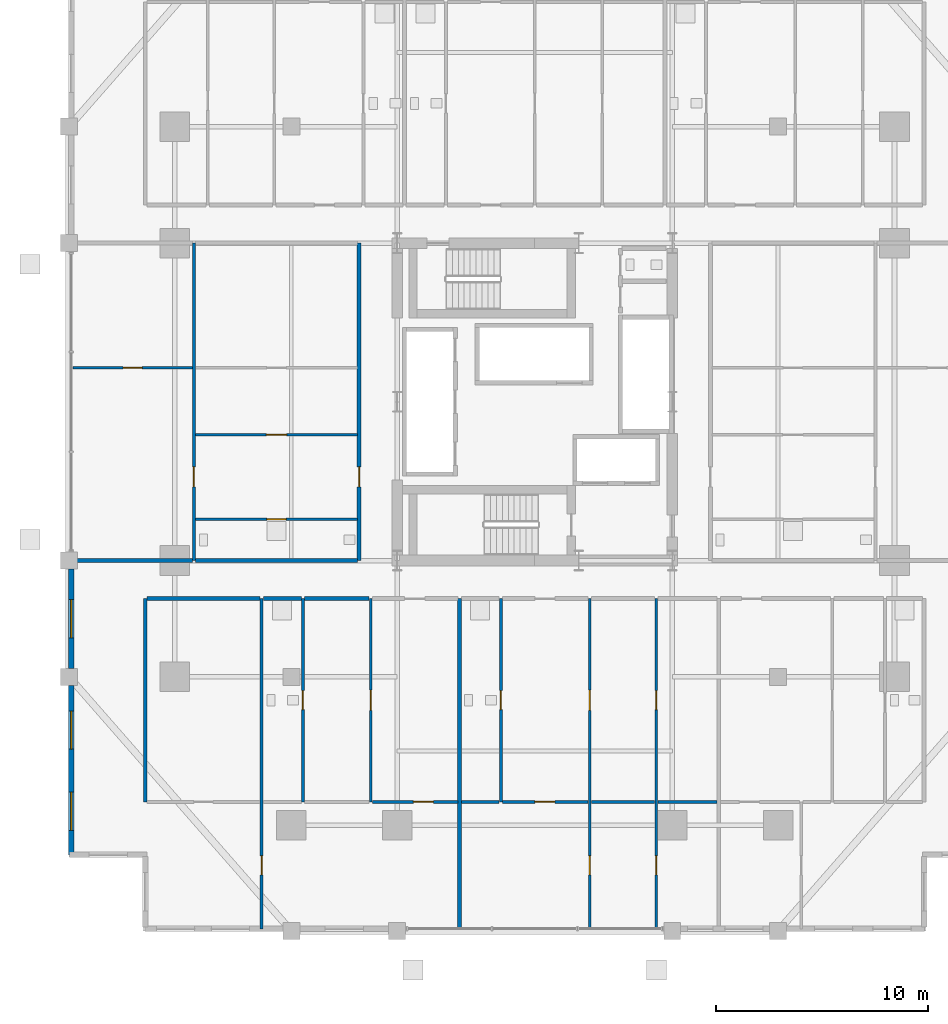
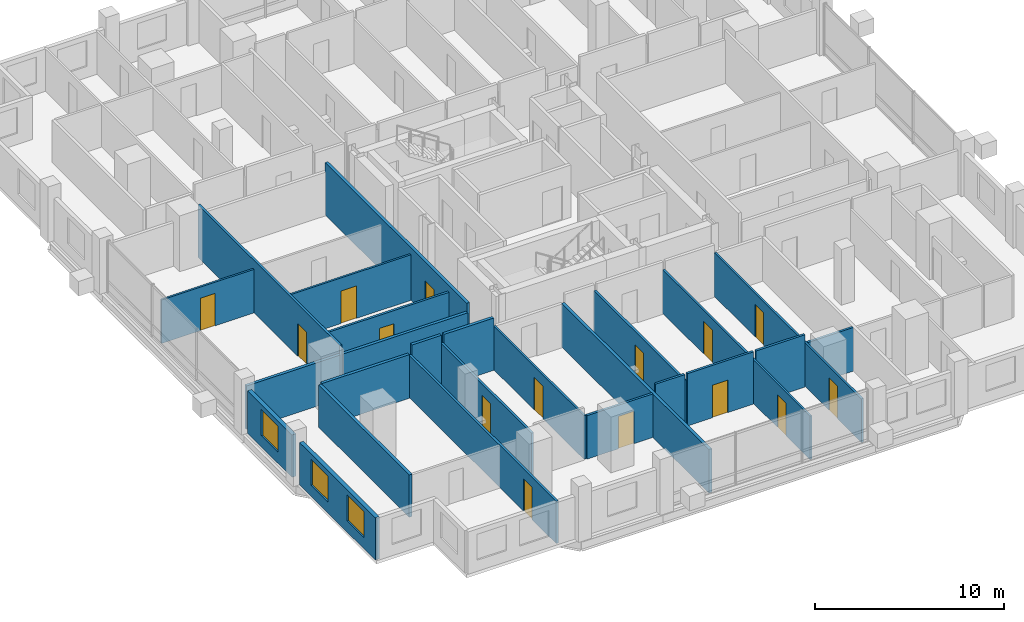
# One storey, part 17 of 24: 25 walls, 15 doors, 3 windows, 18 openings.
"""IFC4 building model written with IfcOpenShell, lengths in metres."""

from ifc_helpers import new_model, si_unit, direction, frame, frame_2d, origin, place, context, subcontext, project, spatial, rectangle, extrude, material, layer, layer_set, type_object, element, fill, save


model = new_model("IFC4")

# Units and contexts
model_context = context("Model", 3, precision=1e-05, world=origin(), true_north=direction((0.0, 1.0)))
body_context = subcontext(model_context, "Body", "Model", "MODEL_VIEW")
ifc_project = project(units=[si_unit("LENGTHUNIT", "METRE"), si_unit("AREAUNIT", "SQUARE_METRE"), si_unit("VOLUMEUNIT", "CUBIC_METRE"), si_unit("PLANEANGLEUNIT", "RADIAN"), si_unit("MASSUNIT", "GRAM", prefix="KILO")], contexts=[model_context])

# Site, building, storey
site_placement = place(None, origin())
site = spatial("IfcSite", under=ifc_project, at=site_placement, CompositionType="ELEMENT")
building_placement = place(site_placement, origin())
building = spatial("IfcBuilding", under=site, at=building_placement, Name="Barlavira Tower and Art Museum", CompositionType="ELEMENT")
storey_placement = place(building_placement, frame((0.0, 0.0, 43.199951171875)))
storey = spatial("IfcBuildingStorey", under=building, at=storey_placement, Name="L09", CompositionType="ELEMENT", Elevation=43.199951171875)

# Wall, opening, door
ifc_material_1 = material(Name="Gypsum acoustic stud partition", Category="gypsum")
ifc_layer_1 = layer(ifc_material_1, 0.1201171875, Name="Gypsum acoustic stud partition")
ifc_layer_set_1 = layer_set([ifc_layer_1], Name="Gypsum acoustic stud partition")
wall_type_1 = type_object("IfcWallType", Name="Apartment Internal Acoustic Partition 120", PredefinedType="PARTITIONING", material=ifc_layer_set_1)
wall_1_placement = place(storey_placement, frame((-7.75, -18.89990234375, 0.0), z_axis=(0.0, 0.0, 1.0), x_axis=(0.0, 1.0, 0.0)))
wall_1 = element("IfcWall", 1, at=wall_1_placement, inside=storey, type_object=wall_type_1, Name="L09 Partition Wall 10", PredefinedType="PARTITIONING", context=body_context, shape_type="SweptSolid", body=[
    extrude(rectangle(XDim=9.599853515625, YDim=0.1201171875, at=frame_2d((4.7998046875, 0.0))), origin(), (0.0, 0.0, 1.0), 2.816162109375),
])
opening_1_placement = place(wall_1_placement, frame((4.324951171875, 0.0, 0.0)))
opening_1 = element("IfcOpeningElement", 2, at=opening_1_placement, cuts=wall_1, Name="Opening D-02", PredefinedType="OPENING", context=body_context, shape_type="SweptSolid", body=[
    extrude(rectangle(XDim=0.949951171875, YDim=2.10009765625, at=frame_2d((0.47509765625, 1.050048828125))), frame((0.0, 0.070068359375, 0.0), z_axis=(0.0, -1.0, 0.0), x_axis=(1.0, 0.0, 0.0)), (0.0, 0.0, 1.0), 0.14013671875),
])
ifc_material_2 = material(Name="Engineered coastal hardwood", Category="wood")
door_type_1 = type_object("IfcDoorType", Name="Living and Salon Glazed-Leaf Door 950x2100", OperationType="NOTDEFINED", PredefinedType="DOOR", material=ifc_material_2)
door_1_placement = place(opening_1_placement, origin())
door_1 = element("IfcDoor", 3, at=door_1_placement, inside=storey, type_object=door_type_1, Name="Apartment S1 Kitchen Door", OperationType="SINGLE_SWING_RIGHT", OverallHeight=2.10009765625, OverallWidth=0.949951171875, PredefinedType="DOOR", context=body_context, shape_type="SweptSolid", body=[
    extrude(rectangle(XDim=0.949951171875, YDim=2.10009765625, at=frame_2d((0.47509765625, 1.050048828125))), frame((0.0, 0.02490234375, 0.0), z_axis=(0.0, -1.0, 0.0), x_axis=(1.0, 0.0, 0.0)), (0.0, 0.0, 1.0), 0.050048828125),
])
fill(opening_1, door_1)

# Wall, openings, doors
wall_2_placement = place(storey_placement, frame((2.60009765625, -24.89990234375, 0.0), z_axis=(0.0, 0.0, 1.0), x_axis=(0.0, 1.0, 0.0)))
wall_2 = element("IfcWall", 4, at=wall_2_placement, inside=storey, type_object=wall_type_1, Name="L09 Partition Wall 16", PredefinedType="PARTITIONING", context=body_context, shape_type="SweptSolid", body=[
    extrude(rectangle(XDim=15.599853515625, YDim=0.1201171875, at=frame_2d((7.7998046875, 0.0))), origin(), (0.0, 0.0, 1.0), 2.816162109375),
])
opening_2_placement = place(wall_2_placement, frame((10.324951171875, 0.0, 0.0)))
opening_2 = element("IfcOpeningElement", 5, at=opening_2_placement, cuts=wall_2, Name="Opening D-02", PredefinedType="OPENING", context=body_context, shape_type="SweptSolid", body=[
    extrude(rectangle(XDim=0.949951171875, YDim=2.10009765625, at=frame_2d((0.47509765625, 1.050048828125))), frame((0.0, 0.070068359375, 0.0), z_axis=(0.0, -1.0, 0.0), x_axis=(1.0, 0.0, 0.0)), (0.0, 0.0, 1.0), 0.14013671875),
])
opening_3_placement = place(wall_2_placement, frame((2.550048828125, 0.0, 0.0)))
opening_3 = element("IfcOpeningElement", 6, at=opening_3_placement, cuts=wall_2, Name="Opening D-01", PredefinedType="OPENING", context=body_context, shape_type="SweptSolid", body=[
    extrude(rectangle(XDim=0.89990234375, YDim=2.10009765625, at=frame_2d((0.449951171875, 1.050048828125))), frame((0.0, 0.070068359375, 0.0), z_axis=(0.0, -1.0, 0.0), x_axis=(1.0, 0.0, 0.0)), (0.0, 0.0, 1.0), 0.14013671875),
])
door_type_2 = type_object("IfcDoorType", Name="Internal Bedroom Timber Flush Door 900x2100", OperationType="NOTDEFINED", PredefinedType="DOOR", material=ifc_material_2)
door_2_placement = place(opening_3_placement, origin())
door_2 = element("IfcDoor", 7, at=door_2_placement, inside=storey, type_object=door_type_2, Name="Apartment S2 Bedroom 1 Door", OperationType="SINGLE_SWING_RIGHT", OverallHeight=2.10009765625, OverallWidth=0.89990234375, PredefinedType="DOOR", context=body_context, shape_type="SweptSolid", body=[
    extrude(rectangle(XDim=0.89990234375, YDim=2.10009765625, at=frame_2d((0.449951171875, 1.050048828125))), frame((0.0, 0.02490234375, 0.0), z_axis=(0.0, -1.0, 0.0), x_axis=(1.0, 0.0, 0.0)), (0.0, 0.0, 1.0), 0.050048828125),
])
fill(opening_3, door_2)
door_3_placement = place(opening_2_placement, origin())
door_3 = element("IfcDoor", 8, at=door_3_placement, inside=storey, type_object=door_type_1, Name="Apartment S2 Kitchen Door", OperationType="SINGLE_SWING_LEFT", OverallHeight=2.10009765625, OverallWidth=0.949951171875, PredefinedType="DOOR", context=body_context, shape_type="SweptSolid", body=[
    extrude(rectangle(XDim=0.949951171875, YDim=2.10009765625, at=frame_2d((0.47509765625, 1.050048828125))), frame((0.0, 0.02490234375, 0.0), z_axis=(0.0, -1.0, 0.0), x_axis=(1.0, 0.0, 0.0)), (0.0, 0.0, 1.0), 0.050048828125),
])
fill(opening_2, door_3)

wall_3_placement = place(storey_placement, frame((5.75, -24.89990234375, 0.0), z_axis=(0.0, 0.0, 1.0), x_axis=(0.0, 1.0, 0.0)))
wall_3 = element("IfcWall", 9, at=wall_3_placement, inside=storey, type_object=wall_type_1, Name="L09 Partition Wall 19", PredefinedType="PARTITIONING", context=body_context, shape_type="SweptSolid", body=[
    extrude(rectangle(XDim=15.599853515625, YDim=0.1201171875, at=frame_2d((7.7998046875, 0.0))), origin(), (0.0, 0.0, 1.0), 2.816162109375),
])
opening_4_placement = place(wall_3_placement, frame((10.35009765625, 0.0, 0.0)))
opening_4 = element("IfcOpeningElement", 10, at=opening_4_placement, cuts=wall_3, Name="Opening D-01", PredefinedType="OPENING", context=body_context, shape_type="SweptSolid", body=[
    extrude(rectangle(XDim=0.89990234375, YDim=2.10009765625, at=frame_2d((0.449951171875, 1.050048828125))), frame((0.0, 0.070068359375, 0.0), z_axis=(0.0, -1.0, 0.0), x_axis=(1.0, 0.0, 0.0)), (0.0, 0.0, 1.0), 0.14013671875),
])
opening_5_placement = place(wall_3_placement, frame((2.550048828125, 0.0, 0.0)))
opening_5 = element("IfcOpeningElement", 11, at=opening_5_placement, cuts=wall_3, Name="Opening D-01", PredefinedType="OPENING", context=body_context, shape_type="SweptSolid", body=[
    extrude(rectangle(XDim=0.89990234375, YDim=2.10009765625, at=frame_2d((0.449951171875, 1.050048828125))), frame((0.0, 0.070068359375, 0.0), z_axis=(0.0, -1.0, 0.0), x_axis=(1.0, 0.0, 0.0)), (0.0, 0.0, 1.0), 0.14013671875),
])
door_4_placement = place(opening_4_placement, origin())
door_4 = element("IfcDoor", 12, at=door_4_placement, inside=storey, type_object=door_type_2, Name="Apartment S2 Walk-In Dressing Room Door", OperationType="SINGLE_SWING_RIGHT", OverallHeight=2.10009765625, OverallWidth=0.89990234375, PredefinedType="DOOR", context=body_context, shape_type="SweptSolid", body=[
    extrude(rectangle(XDim=0.89990234375, YDim=2.10009765625, at=frame_2d((0.449951171875, 1.050048828125))), frame((0.0, 0.02490234375, 0.0), z_axis=(0.0, -1.0, 0.0), x_axis=(1.0, 0.0, 0.0)), (0.0, 0.0, 1.0), 0.050048828125),
])
fill(opening_4, door_4)
door_5_placement = place(opening_5_placement, origin())
door_5 = element("IfcDoor", 13, at=door_5_placement, inside=storey, type_object=door_type_2, Name="Apartment S2 Sunroom Lounge 2 Door", OperationType="SINGLE_SWING_LEFT", OverallHeight=2.10009765625, OverallWidth=0.89990234375, PredefinedType="DOOR", context=body_context, shape_type="SweptSolid", body=[
    extrude(rectangle(XDim=0.89990234375, YDim=2.10009765625, at=frame_2d((0.449951171875, 1.050048828125))), frame((0.0, 0.02490234375, 0.0), z_axis=(0.0, -1.0, 0.0), x_axis=(1.0, 0.0, 0.0)), (0.0, 0.0, 1.0), 0.050048828125),
])
fill(opening_5, door_5)

# Wall, opening, door
wall_4_placement = place(storey_placement, frame((-16.02001953125, -1.550048828125, 0.0), z_axis=(0.0, 0.0, 1.0), x_axis=(1.0, 0.0, 0.0)))
wall_4 = element("IfcWall", 14, at=wall_4_placement, inside=storey, type_object=wall_type_1, Name="L09 Partition Wall 61", PredefinedType="PARTITIONING", context=body_context, shape_type="SweptSolid", body=[
    extrude(rectangle(XDim=7.64013671875, YDim=0.1201171875, at=frame_2d((3.820068359375, 0.0))), origin(), (0.0, 0.0, 1.0), 2.947998046875),
])
opening_6_placement = place(wall_4_placement, frame((3.344970703125, 0.0, 0.0)))
opening_6 = element("IfcOpeningElement", 15, at=opening_6_placement, cuts=wall_4, Name="Opening D-02", PredefinedType="OPENING", context=body_context, shape_type="SweptSolid", body=[
    extrude(rectangle(XDim=0.949951171875, YDim=2.10009765625, at=frame_2d((0.47509765625, 1.050048828125))), frame((0.0, 0.070068359375, 0.0), z_axis=(0.0, -1.0, 0.0), x_axis=(1.0, 0.0, 0.0)), (0.0, 0.0, 1.0), 0.14013671875),
])
door_6_placement = place(opening_6_placement, origin())
door_6 = element("IfcDoor", 16, at=door_6_placement, inside=storey, type_object=door_type_1, Name="Apartment W1 Kitchen Door", OperationType="SINGLE_SWING_RIGHT", OverallHeight=2.10009765625, OverallWidth=0.949951171875, PredefinedType="DOOR", context=body_context, shape_type="SweptSolid", body=[
    extrude(rectangle(XDim=0.949951171875, YDim=2.10009765625, at=frame_2d((0.47509765625, 1.050048828125))), frame((0.0, 0.02490234375, 0.0), z_axis=(0.0, -1.0, 0.0), x_axis=(1.0, 0.0, 0.0)), (0.0, 0.0, 1.0), 0.050048828125),
])
fill(opening_6, door_6)

wall_5_placement = place(storey_placement, frame((-21.820068359375, 1.60009765625, 0.0), z_axis=(0.0, 0.0, 1.0), x_axis=(1.0, 0.0, 0.0)))
wall_5 = element("IfcWall", 17, at=wall_5_placement, inside=storey, type_object=wall_type_1, Name="L09 Partition Wall 63", PredefinedType="PARTITIONING", context=body_context, shape_type="SweptSolid", body=[
    extrude(rectangle(XDim=5.64013671875, YDim=0.1201171875, at=frame_2d((2.820068359375, 0.0))), origin(), (0.0, 0.0, 1.0), 2.816162109375),
])
opening_7_placement = place(wall_5_placement, frame((2.3701171875, 0.0, 0.0)))
opening_7 = element("IfcOpeningElement", 18, at=opening_7_placement, cuts=wall_5, Name="Opening D-01", PredefinedType="OPENING", context=body_context, shape_type="SweptSolid", body=[
    extrude(rectangle(XDim=0.89990234375, YDim=2.10009765625, at=frame_2d((0.449951171875, 1.050048828125))), frame((0.0, 0.070068359375, 0.0), z_axis=(0.0, -1.0, 0.0), x_axis=(1.0, 0.0, 0.0)), (0.0, 0.0, 1.0), 0.14013671875),
])
door_7_placement = place(opening_7_placement, origin())
door_7 = element("IfcDoor", 19, at=door_7_placement, inside=storey, type_object=door_type_2, Name="Apartment W1 Bedroom 1 Door", OperationType="SINGLE_SWING_LEFT", OverallHeight=2.10009765625, OverallWidth=0.89990234375, PredefinedType="DOOR", context=body_context, shape_type="SweptSolid", body=[
    extrude(rectangle(XDim=0.89990234375, YDim=2.10009765625, at=frame_2d((0.449951171875, 1.050048828125))), frame((0.0, 0.02490234375, 0.0), z_axis=(0.0, -1.0, 0.0), x_axis=(1.0, 0.0, 0.0)), (0.0, 0.0, 1.0), 0.050048828125),
])
fill(opening_7, door_7)

# Wall
ifc_layer_2 = layer(ifc_material_1, 0.179931640625, Name="Gypsum acoustic stud partition")
ifc_layer_set_2 = layer_set([ifc_layer_2], Name="Gypsum acoustic stud partition")
wall_type_2 = type_object("IfcWallType", Name="Inter-Tenancy Party Partition Wall 180", PredefinedType="PARTITIONING", material=ifc_layer_set_2)
wall_6_placement = place(storey_placement, frame((-18.39990234375, -18.89990234375, 0.0), z_axis=(0.0, 0.0, 1.0), x_axis=(0.0, 1.0, 0.0)))
element("IfcWall", 20, at=wall_6_placement, inside=storey, type_object=wall_type_2, Name="L09 Partition Wall 1", PredefinedType="PARTITIONING", context=body_context, shape_type="SweptSolid", body=[
    extrude(rectangle(XDim=9.599853515625, YDim=0.179931640625, at=frame_2d((4.7998046875, 0.0))), origin(), (0.0, 0.0, 1.0), 2.736083984375),
])

# Wall, opening, door
wall_7_placement = place(storey_placement, frame((-8.300048828125, -7.5, 0.0), z_axis=(0.0, 0.0, 1.0), x_axis=(0.0, 1.0, 0.0)))
wall_7 = element("IfcWall", 21, at=wall_7_placement, inside=storey, type_object=wall_type_2, Name="L09 Partition Wall 8", PredefinedType="PARTITIONING", context=body_context, shape_type="SweptSolid", body=[
    extrude(rectangle(XDim=15.0, YDim=0.179931640625, at=frame_2d((7.5, 0.0))), origin(), (0.0, 0.0, 1.0), 3.380126953125),
])
opening_8_placement = place(wall_7_placement, frame((3.47509765625, 0.0, 0.0)))
opening_8 = element("IfcOpeningElement", 22, at=opening_8_placement, cuts=wall_7, Name="Opening FD-60", PredefinedType="OPENING", context=body_context, shape_type="SweptSolid", body=[
    extrude(rectangle(XDim=0.949951171875, YDim=2.14990234375, at=frame_2d((0.47509765625, 1.074951171875))), frame((0.0, 0.10009765625, 0.0), z_axis=(0.0, -1.0, 0.0), x_axis=(1.0, 0.0, 0.0)), (0.0, 0.0, 1.0), 0.199951171875),
])
ifc_material_3 = material(Name="Brushed stainless steel", Category="steel")
door_type_3 = type_object("IfcDoorType", Name="Apartment Entrance and Riser Fire Door 950x2150 FD60S", OperationType="NOTDEFINED", PredefinedType="DOOR", material=ifc_material_3)
door_8_placement = place(opening_8_placement, origin())
door_8 = element("IfcDoor", 23, at=door_8_placement, inside=storey, type_object=door_type_3, Name="Apartment Entrance Hall W1 Door", OperationType="SINGLE_SWING_LEFT", OverallHeight=2.14990234375, OverallWidth=0.949951171875, PredefinedType="DOOR", context=body_context, shape_type="SweptSolid", body=[
    extrude(rectangle(XDim=0.949951171875, YDim=2.14990234375, at=frame_2d((0.47509765625, 1.074951171875))), frame((0.0, 0.02490234375, 0.0), z_axis=(0.0, -1.0, 0.0), x_axis=(1.0, 0.0, 0.0)), (0.0, 0.0, 1.0), 0.050048828125),
])
fill(opening_8, door_8)

# Walls
wall_8_placement = place(storey_placement, frame((-3.550048828125, -24.89990234375, 0.0), z_axis=(0.0, 0.0, 1.0), x_axis=(0.0, 1.0, 0.0)))
element("IfcWall", 24, at=wall_8_placement, inside=storey, type_object=wall_type_2, Name="L09 Partition Wall 13", PredefinedType="PARTITIONING", context=body_context, shape_type="SweptSolid", body=[
    extrude(rectangle(XDim=15.599853515625, YDim=0.179931640625, at=frame_2d((7.7998046875, 0.0))), origin(), (0.0, 0.0, 1.0), 2.816162109375),
])
wall_9_placement = place(storey_placement, frame((-18.320068359375, -9.300048828125, 0.0), z_axis=(0.0, 0.0, 1.0), x_axis=(1.0, 0.0, 0.0)))
element("IfcWall", 25, at=wall_9_placement, inside=storey, type_object=wall_type_2, Name="L09 Partition Wall 44", PredefinedType="PARTITIONING", context=body_context, shape_type="SweptSolid", body=[
    extrude(rectangle(XDim=5.340087890625, YDim=0.179931640625, at=frame_2d((2.669921875, 0.0))), origin(), (0.0, 0.0, 1.0), 2.816162109375),
])
wall_10_placement = place(storey_placement, frame((-12.820068359375, -9.300048828125, 0.0), z_axis=(0.0, 0.0, 1.0), x_axis=(1.0, 0.0, 0.0)))
element("IfcWall", 26, at=wall_10_placement, inside=storey, type_object=wall_type_2, Name="L09 Partition Wall 45", PredefinedType="PARTITIONING", context=body_context, shape_type="SweptSolid", body=[
    extrude(rectangle(XDim=1.7900390625, YDim=0.179931640625, at=frame_2d((0.89501953125, 0.0))), origin(), (0.0, 0.0, 1.0), 3.380126953125),
])
wall_11_placement = place(storey_placement, frame((-10.8701171875, -9.300048828125, 0.0), z_axis=(0.0, 0.0, 1.0), x_axis=(1.0, 0.0, 0.0)))
element("IfcWall", 27, at=wall_11_placement, inside=storey, type_object=wall_type_2, Name="L09 Partition Wall 46", PredefinedType="PARTITIONING", context=body_context, shape_type="SweptSolid", body=[
    extrude(rectangle(XDim=3.0400390625, YDim=0.179931640625, at=frame_2d((1.52001953125, 0.0))), origin(), (0.0, 0.0, 1.0), 3.380126953125),
])
wall_12_placement = place(storey_placement, frame((-21.89990234375, -7.5, 0.0), z_axis=(0.0, 0.0, 1.0), x_axis=(1.0, 0.0, 0.0)))
element("IfcWall", 28, at=wall_12_placement, inside=storey, type_object=wall_type_2, Name="L09 Partition Wall 55", PredefinedType="PARTITIONING", context=body_context, shape_type="SweptSolid", body=[
    extrude(rectangle(XDim=5.719970703125, YDim=0.179931640625, at=frame_2d((2.85986328125, 0.0))), origin(), (0.0, 0.0, 1.0), 2.816162109375),
])
wall_13_placement = place(storey_placement, frame((-16.02001953125, -7.5, 0.0), z_axis=(0.0, 0.0, 1.0), x_axis=(1.0, 0.0, 0.0)))
element("IfcWall", 29, at=wall_13_placement, inside=storey, type_object=wall_type_2, Name="L09 Partition Wall 56", PredefinedType="PARTITIONING", context=body_context, shape_type="SweptSolid", body=[
    extrude(rectangle(XDim=7.64013671875, YDim=0.179931640625, at=frame_2d((3.820068359375, 0.0))), origin(), (0.0, 0.0, 1.0), 2.816162109375),
])

# Wall, opening, door
ifc_layer_3 = layer(ifc_material_1, 0.139892578125, Name="Gypsum acoustic stud partition")
ifc_layer_set_3 = layer_set([ifc_layer_3], Name="Gypsum acoustic stud partition")
wall_type_3 = type_object("IfcWallType", Name="Moisture-Resistant Bathroom Partition 140", PredefinedType="PARTITIONING", material=ifc_layer_set_3)
wall_14_placement = place(storey_placement, frame((-16.10009765625, -7.5, 0.0), z_axis=(0.0, 0.0, 1.0), x_axis=(0.0, 1.0, 0.0)))
wall_14 = element("IfcWall", 30, at=wall_14_placement, inside=storey, type_object=wall_type_3, Name="L09 Partition Wall 3", PredefinedType="PARTITIONING", context=body_context, shape_type="SweptSolid", body=[
    extrude(rectangle(XDim=15.0, YDim=0.139892578125, at=frame_2d((7.5, 0.0))), origin(), (0.0, 0.0, 1.0), 3.380126953125),
])
opening_9_placement = place(wall_14_placement, frame((3.47509765625, 0.0, 0.0)))
opening_9 = element("IfcOpeningElement", 31, at=opening_9_placement, cuts=wall_14, Name="Opening D-02", PredefinedType="OPENING", context=body_context, shape_type="SweptSolid", body=[
    extrude(rectangle(XDim=0.949951171875, YDim=2.10009765625, at=frame_2d((0.47509765625, 1.050048828125))), frame((0.0, 0.080078125, 0.0), z_axis=(0.0, -1.0, 0.0), x_axis=(1.0, 0.0, 0.0)), (0.0, 0.0, 1.0), 0.159912109375),
])
door_9_placement = place(opening_9_placement, origin())
door_9 = element("IfcDoor", 32, at=door_9_placement, inside=storey, type_object=door_type_1, Name="Apartment W1 Living Lounge Door", OperationType="SINGLE_SWING_RIGHT", OverallHeight=2.10009765625, OverallWidth=0.949951171875, PredefinedType="DOOR", context=body_context, shape_type="SweptSolid", body=[
    extrude(rectangle(XDim=0.949951171875, YDim=2.10009765625, at=frame_2d((0.47509765625, 1.050048828125))), frame((0.0, 0.02490234375, 0.0), z_axis=(0.0, -1.0, 0.0), x_axis=(1.0, 0.0, 0.0)), (0.0, 0.0, 1.0), 0.050048828125),
])
fill(opening_9, door_9)

wall_15_placement = place(storey_placement, frame((-12.89990234375, -24.89990234375, 0.0), z_axis=(0.0, 0.0, 1.0), x_axis=(0.0, 1.0, 0.0)))
wall_15 = element("IfcWall", 33, at=wall_15_placement, inside=storey, type_object=wall_type_3, Name="L09 Partition Wall 5", PredefinedType="PARTITIONING", context=body_context, shape_type="SweptSolid", body=[
    extrude(rectangle(XDim=15.599853515625, YDim=0.139892578125, at=frame_2d((7.7998046875, 0.0))), origin(), (0.0, 0.0, 1.0), 2.736083984375),
])
opening_10_placement = place(wall_15_placement, frame((2.550048828125, 0.0, 0.0)))
opening_10 = element("IfcOpeningElement", 34, at=opening_10_placement, cuts=wall_15, Name="Opening D-01", PredefinedType="OPENING", context=body_context, shape_type="SweptSolid", body=[
    extrude(rectangle(XDim=0.89990234375, YDim=2.10009765625, at=frame_2d((0.449951171875, 1.050048828125))), frame((0.0, 0.080078125, 0.0), z_axis=(0.0, -1.0, 0.0), x_axis=(1.0, 0.0, 0.0)), (0.0, 0.0, 1.0), 0.159912109375),
])
door_10_placement = place(opening_10_placement, origin())
door_10 = element("IfcDoor", 35, at=door_10_placement, inside=storey, type_object=door_type_2, Name="Apartment S1 Bedroom 1 Door", OperationType="SINGLE_SWING_RIGHT", OverallHeight=2.10009765625, OverallWidth=0.89990234375, PredefinedType="DOOR", context=body_context, shape_type="SweptSolid", body=[
    extrude(rectangle(XDim=0.89990234375, YDim=2.10009765625, at=frame_2d((0.449951171875, 1.050048828125))), frame((0.0, 0.02490234375, 0.0), z_axis=(0.0, -1.0, 0.0), x_axis=(1.0, 0.0, 0.0)), (0.0, 0.0, 1.0), 0.050048828125),
])
fill(opening_10, door_10)

wall_16_placement = place(storey_placement, frame((-10.949951171875, -18.89990234375, 0.0), z_axis=(0.0, 0.0, 1.0), x_axis=(0.0, 1.0, 0.0)))
wall_16 = element("IfcWall", 36, at=wall_16_placement, inside=storey, type_object=wall_type_3, Name="L09 Partition Wall 7", PredefinedType="PARTITIONING", context=body_context, shape_type="SweptSolid", body=[
    extrude(rectangle(XDim=9.599853515625, YDim=0.139892578125, at=frame_2d((4.7998046875, 0.0))), origin(), (0.0, 0.0, 1.0), 2.816162109375),
])
opening_11_placement = place(wall_16_placement, frame((4.35009765625, 0.0, 0.0)))
opening_11 = element("IfcOpeningElement", 37, at=opening_11_placement, cuts=wall_16, Name="Opening D-WC", PredefinedType="OPENING", context=body_context, shape_type="SweptSolid", body=[
    extrude(rectangle(XDim=0.89990234375, YDim=2.10009765625, at=frame_2d((0.449951171875, 1.050048828125))), frame((0.0, 0.080078125, 0.0), z_axis=(0.0, -1.0, 0.0), x_axis=(1.0, 0.0, 0.0)), (0.0, 0.0, 1.0), 0.159912109375),
])
door_type_4 = type_object("IfcDoorType", Name="Accessible Bathroom Flush Door 900x2100", OperationType="NOTDEFINED", PredefinedType="DOOR", material=ifc_material_2)
door_11_placement = place(opening_11_placement, origin())
door_11 = element("IfcDoor", 38, at=door_11_placement, inside=storey, type_object=door_type_4, Name="Apartment S1 Hall Bathroom Door", OperationType="SINGLE_SWING_LEFT", OverallHeight=2.10009765625, OverallWidth=0.89990234375, PredefinedType="DOOR", context=body_context, shape_type="SweptSolid", body=[
    extrude(rectangle(XDim=0.89990234375, YDim=2.10009765625, at=frame_2d((0.449951171875, 1.050048828125))), frame((0.0, 0.02490234375, 0.0), z_axis=(0.0, -1.0, 0.0), x_axis=(1.0, 0.0, 0.0)), (0.0, 0.0, 1.0), 0.050048828125),
])
fill(opening_11, door_11)

wall_17_placement = place(storey_placement, frame((-1.60009765625, -18.89990234375, 0.0), z_axis=(0.0, 0.0, 1.0), x_axis=(0.0, 1.0, 0.0)))
wall_17 = element("IfcWall", 39, at=wall_17_placement, inside=storey, type_object=wall_type_3, Name="L09 Partition Wall 14", PredefinedType="PARTITIONING", context=body_context, shape_type="SweptSolid", body=[
    extrude(rectangle(XDim=9.599853515625, YDim=0.139892578125, at=frame_2d((4.7998046875, 0.0))), origin(), (0.0, 0.0, 1.0), 2.947998046875),
])
opening_12_placement = place(wall_17_placement, frame((4.35009765625, 0.0, 0.0)))
opening_12 = element("IfcOpeningElement", 40, at=opening_12_placement, cuts=wall_17, Name="Opening D-WC", PredefinedType="OPENING", context=body_context, shape_type="SweptSolid", body=[
    extrude(rectangle(XDim=0.89990234375, YDim=2.10009765625, at=frame_2d((0.449951171875, 1.050048828125))), frame((0.0, 0.080078125, 0.0), z_axis=(0.0, -1.0, 0.0), x_axis=(1.0, 0.0, 0.0)), (0.0, 0.0, 1.0), 0.159912109375),
])
door_12_placement = place(opening_12_placement, origin())
door_12 = element("IfcDoor", 41, at=door_12_placement, inside=storey, type_object=door_type_4, Name="Apartment S2 Hall Bathroom Door", OperationType="SINGLE_SWING_LEFT", OverallHeight=2.10009765625, OverallWidth=0.89990234375, PredefinedType="DOOR", context=body_context, shape_type="SweptSolid", body=[
    extrude(rectangle(XDim=0.89990234375, YDim=2.10009765625, at=frame_2d((0.449951171875, 1.050048828125))), frame((0.0, 0.02490234375, 0.0), z_axis=(0.0, -1.0, 0.0), x_axis=(1.0, 0.0, 0.0)), (0.0, 0.0, 1.0), 0.050048828125),
])
fill(opening_12, door_12)

wall_18_placement = place(storey_placement, frame((-7.669921875, -18.89990234375, 0.0), z_axis=(0.0, 0.0, 1.0), x_axis=(1.0, 0.0, 0.0)))
wall_18 = element("IfcWall", 42, at=wall_18_placement, inside=storey, type_object=wall_type_3, Name="L09 Partition Wall 35", PredefinedType="PARTITIONING", context=body_context, shape_type="SweptSolid", body=[
    extrude(rectangle(XDim=4.0400390625, YDim=0.139892578125, at=frame_2d((2.02001953125, 0.0))), origin(), (0.0, 0.0, 1.0), 2.816162109375),
])
opening_13_placement = place(wall_18_placement, frame((1.93359375, 0.0, 0.0)))
opening_13 = element("IfcOpeningElement", 43, at=opening_13_placement, cuts=wall_18, Name="Opening D-02", PredefinedType="OPENING", context=body_context, shape_type="SweptSolid", body=[
    extrude(rectangle(XDim=0.949951171875, YDim=2.10009765625, at=frame_2d((0.47509765625, 1.050048828125))), frame((0.0, 0.080078125, 0.0), z_axis=(0.0, -1.0, 0.0), x_axis=(1.0, 0.0, 0.0)), (0.0, 0.0, 1.0), 0.159912109375),
])
door_13_placement = place(opening_13_placement, origin())
door_13 = element("IfcDoor", 44, at=door_13_placement, inside=storey, type_object=door_type_1, Name="Apartment S1 Living Lounge Door", OperationType="SINGLE_SWING_LEFT", OverallHeight=2.10009765625, OverallWidth=0.949951171875, PredefinedType="DOOR", context=body_context, shape_type="SweptSolid", body=[
    extrude(rectangle(XDim=0.949951171875, YDim=2.10009765625, at=frame_2d((0.47509765625, 1.050048828125))), frame((0.0, 0.02490234375, 0.0), z_axis=(0.0, -1.0, 0.0), x_axis=(1.0, 0.0, 0.0)), (0.0, 0.0, 1.0), 0.050048828125),
])
fill(opening_13, door_13)

# Wall
wall_19_placement = place(storey_placement, frame((-3.469970703125, -18.89990234375, 0.0), z_axis=(0.0, 0.0, 1.0), x_axis=(1.0, 0.0, 0.0)))
element("IfcWall", 45, at=wall_19_placement, inside=storey, type_object=wall_type_3, Name="L09 Partition Wall 36", PredefinedType="PARTITIONING", context=body_context, shape_type="SweptSolid", body=[
    extrude(rectangle(XDim=1.7900390625, YDim=0.139892578125, at=frame_2d((0.89501953125, 0.0))), origin(), (0.0, 0.0, 1.0), 3.380126953125),
])

# Wall, opening, door
wall_20_placement = place(storey_placement, frame((-1.52001953125, -18.89990234375, 0.0), z_axis=(0.0, 0.0, 1.0), x_axis=(1.0, 0.0, 0.0)))
wall_20 = element("IfcWall", 46, at=wall_20_placement, inside=storey, type_object=wall_type_3, Name="L09 Partition Wall 37", PredefinedType="PARTITIONING", context=body_context, shape_type="SweptSolid", body=[
    extrude(rectangle(XDim=4.0400390625, YDim=0.139892578125, at=frame_2d((2.02001953125, 0.0))), origin(), (0.0, 0.0, 1.0), 3.380126953125),
])
opening_14_placement = place(wall_20_placement, frame((1.52490234375, 0.0, 0.0)))
opening_14 = element("IfcOpeningElement", 47, at=opening_14_placement, cuts=wall_20, Name="Opening D-02", PredefinedType="OPENING", context=body_context, shape_type="SweptSolid", body=[
    extrude(rectangle(XDim=0.949951171875, YDim=2.10009765625, at=frame_2d((0.47509765625, 1.050048828125))), frame((0.0, 0.080078125, 0.0), z_axis=(0.0, -1.0, 0.0), x_axis=(1.0, 0.0, 0.0)), (0.0, 0.0, 1.0), 0.159912109375),
])
door_14_placement = place(opening_14_placement, origin())
door_14 = element("IfcDoor", 48, at=door_14_placement, inside=storey, type_object=door_type_1, Name="Apartment S2 Living Lounge Door", OperationType="SINGLE_SWING_LEFT", OverallHeight=2.10009765625, OverallWidth=0.949951171875, PredefinedType="DOOR", context=body_context, shape_type="SweptSolid", body=[
    extrude(rectangle(XDim=0.949951171875, YDim=2.10009765625, at=frame_2d((0.47509765625, 1.050048828125))), frame((0.0, 0.02490234375, 0.0), z_axis=(0.0, -1.0, 0.0), x_axis=(1.0, 0.0, 0.0)), (0.0, 0.0, 1.0), 0.050048828125),
])
fill(opening_14, door_14)

# Walls
wall_21_placement = place(storey_placement, frame((2.679931640625, -18.89990234375, 0.0), z_axis=(0.0, 0.0, 1.0), x_axis=(1.0, 0.0, 0.0)))
element("IfcWall", 49, at=wall_21_placement, inside=storey, type_object=wall_type_3, Name="L09 Partition Wall 38", PredefinedType="PARTITIONING", context=body_context, shape_type="SweptSolid", body=[
    extrude(rectangle(XDim=2.989990234375, YDim=0.139892578125, at=frame_2d((1.4951171875, 0.0))), origin(), (0.0, 0.0, 1.0), 3.380126953125),
])
wall_22_placement = place(storey_placement, frame((5.830078125, -18.89990234375, 0.0), z_axis=(0.0, 0.0, 1.0), x_axis=(1.0, 0.0, 0.0)))
element("IfcWall", 50, at=wall_22_placement, inside=storey, type_object=wall_type_3, Name="L09 Partition Wall 39", PredefinedType="PARTITIONING", context=body_context, shape_type="SweptSolid", body=[
    extrude(rectangle(XDim=2.7900390625, YDim=0.139892578125, at=frame_2d((1.39501953125, 0.0))), origin(), (0.0, 0.0, 1.0), 2.816162109375),
])

# Wall, opening, door
wall_23_placement = place(storey_placement, frame((-16.02001953125, -5.550048828125, 0.0), z_axis=(0.0, 0.0, 1.0), x_axis=(1.0, 0.0, 0.0)))
wall_23 = element("IfcWall", 51, at=wall_23_placement, inside=storey, type_object=wall_type_3, Name="L09 Partition Wall 59", PredefinedType="PARTITIONING", context=body_context, shape_type="SweptSolid", body=[
    extrude(rectangle(XDim=7.64013671875, YDim=0.139892578125, at=frame_2d((3.820068359375, 0.0))), origin(), (0.0, 0.0, 1.0), 2.947998046875),
])
opening_15_placement = place(wall_23_placement, frame((3.3701171875, 0.0, 0.0)))
opening_15 = element("IfcOpeningElement", 52, at=opening_15_placement, cuts=wall_23, Name="Opening D-WC", PredefinedType="OPENING", context=body_context, shape_type="SweptSolid", body=[
    extrude(rectangle(XDim=0.89990234375, YDim=2.10009765625, at=frame_2d((0.449951171875, 1.050048828125))), frame((0.0, 0.080078125, 0.0), z_axis=(0.0, -1.0, 0.0), x_axis=(1.0, 0.0, 0.0)), (0.0, 0.0, 1.0), 0.159912109375),
])
door_15_placement = place(opening_15_placement, origin())
door_15 = element("IfcDoor", 53, at=door_15_placement, inside=storey, type_object=door_type_4, Name="Apartment W1 Hall Bathroom Door", OperationType="SINGLE_SWING_RIGHT", OverallHeight=2.10009765625, OverallWidth=0.89990234375, PredefinedType="DOOR", context=body_context, shape_type="SweptSolid", body=[
    extrude(rectangle(XDim=0.89990234375, YDim=2.10009765625, at=frame_2d((0.449951171875, 1.050048828125))), frame((0.0, 0.02490234375, 0.0), z_axis=(0.0, -1.0, 0.0), x_axis=(1.0, 0.0, 0.0)), (0.0, 0.0, 1.0), 0.050048828125),
])
fill(opening_15, door_15)

# Wall, opening, window
ifc_material_4 = material(Name="Precast concrete C40", Category="concrete")
ifc_layer_4 = layer(ifc_material_4, 0.25, Name="Precast concrete C40")
ifc_layer_set_4 = layer_set([ifc_layer_4], Name="Precast concrete C40")
wall_type_4 = type_object("IfcWallType", Name="Notched Corner Spandrel Wall 250 Precast Concrete C40", PredefinedType="SOLIDWALL", material=ifc_layer_set_4)
wall_24_placement = place(storey_placement, frame((-21.89990234375, -7.89501953125, 0.0), z_axis=(0.0, 0.0, 1.0), x_axis=(0.0, -1.0, 0.0)))
wall_24 = element("IfcWall", 54, at=wall_24_placement, inside=storey, type_object=wall_type_4, Name="L09 Coastal Facade Pier Wall CW1-L09-W-4", PredefinedType="SOLIDWALL", context=body_context, shape_type="SweptSolid", body=[
    extrude(rectangle(XDim=4.7099609375, YDim=0.25, at=frame_2d((2.35498046875, 0.0))), origin(), (0.0, 0.0, 1.0), 2.736083984375),
])
opening_16_placement = place(wall_24_placement, frame((1.455078125, 0.0, 0.719970703125)))
opening_16 = element("IfcOpeningElement", 55, at=opening_16_placement, cuts=wall_24, Name="Opening WN-01", PredefinedType="OPENING", context=body_context, shape_type="SweptSolid", body=[
    extrude(rectangle(XDim=1.800048828125, YDim=1.679931640625, at=frame_2d((0.89990234375, 0.83984375))), frame((0.0, 0.135009765625, 0.0), z_axis=(0.0, -1.0, 0.0), x_axis=(1.0, 0.0, 0.0)), (0.0, 0.0, 1.0), 0.27001953125),
])
ifc_material_5 = material(Name="Low-iron coastal laminated glass", Category="glass")
window_type = type_object("IfcWindowType", Name="Recessed Notch Corner Punch Window 1800x1680", PartitioningType="SINGLE_PANEL", PredefinedType="WINDOW", material=ifc_material_5)
window_1_placement = place(opening_16_placement, origin())
window_1 = element("IfcWindow", 56, at=window_1_placement, inside=storey, type_object=window_type, Name="L09 Punched Facade Window EWP-CW1-L09-W-4-1", OverallHeight=1.679931640625, OverallWidth=1.800048828125, PartitioningType="SINGLE_PANEL", PredefinedType="WINDOW", context=body_context, shape_type="SweptSolid", body=[
    extrude(rectangle(XDim=1.800048828125, YDim=1.679931640625, at=frame_2d((0.89990234375, 0.83984375))), frame((0.0, 0.030029296875, 0.0), z_axis=(0.0, -1.0, 0.0), x_axis=(1.0, 0.0, 0.0)), (0.0, 0.0, 1.0), 0.06005859375),
])
fill(opening_16, window_1)

# Wall, openings, windows
wall_25_placement = place(storey_placement, frame((-21.89990234375, -13.39501953125, 0.0), z_axis=(0.0, 0.0, 1.0), x_axis=(0.0, -1.0, 0.0)))
wall_25 = element("IfcWall", 57, at=wall_25_placement, inside=storey, type_object=wall_type_4, Name="L09 Coastal Facade Pier Wall CW1-L09-W-5", PredefinedType="SOLIDWALL", context=body_context, shape_type="SweptSolid", body=[
    extrude(rectangle(XDim=8.030029296875, YDim=0.25, at=frame_2d((4.01513671875, 0.0))), origin(), (0.0, 0.0, 1.0), 2.736083984375),
])
opening_17_placement = place(wall_25_placement, frame((1.220947265625, 0.0, 0.719970703125)))
opening_17 = element("IfcOpeningElement", 58, at=opening_17_placement, cuts=wall_25, Name="Opening WN-01", PredefinedType="OPENING", context=body_context, shape_type="SweptSolid", body=[
    extrude(rectangle(XDim=1.800048828125, YDim=1.679931640625, at=frame_2d((0.89990234375, 0.83984375))), frame((0.0, 0.135009765625, 0.0), z_axis=(0.0, -1.0, 0.0), x_axis=(1.0, 0.0, 0.0)), (0.0, 0.0, 1.0), 0.27001953125),
])
opening_18_placement = place(wall_25_placement, frame((5.053955078125, 0.0, 0.719970703125)))
opening_18 = element("IfcOpeningElement", 59, at=opening_18_placement, cuts=wall_25, Name="Opening WN-01", PredefinedType="OPENING", context=body_context, shape_type="SweptSolid", body=[
    extrude(rectangle(XDim=1.800048828125, YDim=1.679931640625, at=frame_2d((0.89990234375, 0.83984375))), frame((0.0, 0.135009765625, 0.0), z_axis=(0.0, -1.0, 0.0), x_axis=(1.0, 0.0, 0.0)), (0.0, 0.0, 1.0), 0.27001953125),
])
window_2_placement = place(opening_17_placement, origin())
window_2 = element("IfcWindow", 60, at=window_2_placement, inside=storey, type_object=window_type, Name="L09 Punched Facade Window EWP-CW1-L09-W-5-1", OverallHeight=1.679931640625, OverallWidth=1.800048828125, PartitioningType="SINGLE_PANEL", PredefinedType="WINDOW", context=body_context, shape_type="SweptSolid", body=[
    extrude(rectangle(XDim=1.800048828125, YDim=1.679931640625, at=frame_2d((0.89990234375, 0.83984375))), frame((0.0, 0.030029296875, 0.0), z_axis=(0.0, -1.0, 0.0), x_axis=(1.0, 0.0, 0.0)), (0.0, 0.0, 1.0), 0.06005859375),
])
fill(opening_17, window_2)
window_3_placement = place(opening_18_placement, origin())
window_3 = element("IfcWindow", 61, at=window_3_placement, inside=storey, type_object=window_type, Name="L09 Punched Facade Window EWP-CW1-L09-W-5-2", OverallHeight=1.679931640625, OverallWidth=1.800048828125, PartitioningType="SINGLE_PANEL", PredefinedType="WINDOW", context=body_context, shape_type="SweptSolid", body=[
    extrude(rectangle(XDim=1.800048828125, YDim=1.679931640625, at=frame_2d((0.89990234375, 0.83984375))), frame((0.0, 0.030029296875, 0.0), z_axis=(0.0, -1.0, 0.0), x_axis=(1.0, 0.0, 0.0)), (0.0, 0.0, 1.0), 0.06005859375),
])
fill(opening_18, window_3)

save(model, "model.ifc")
